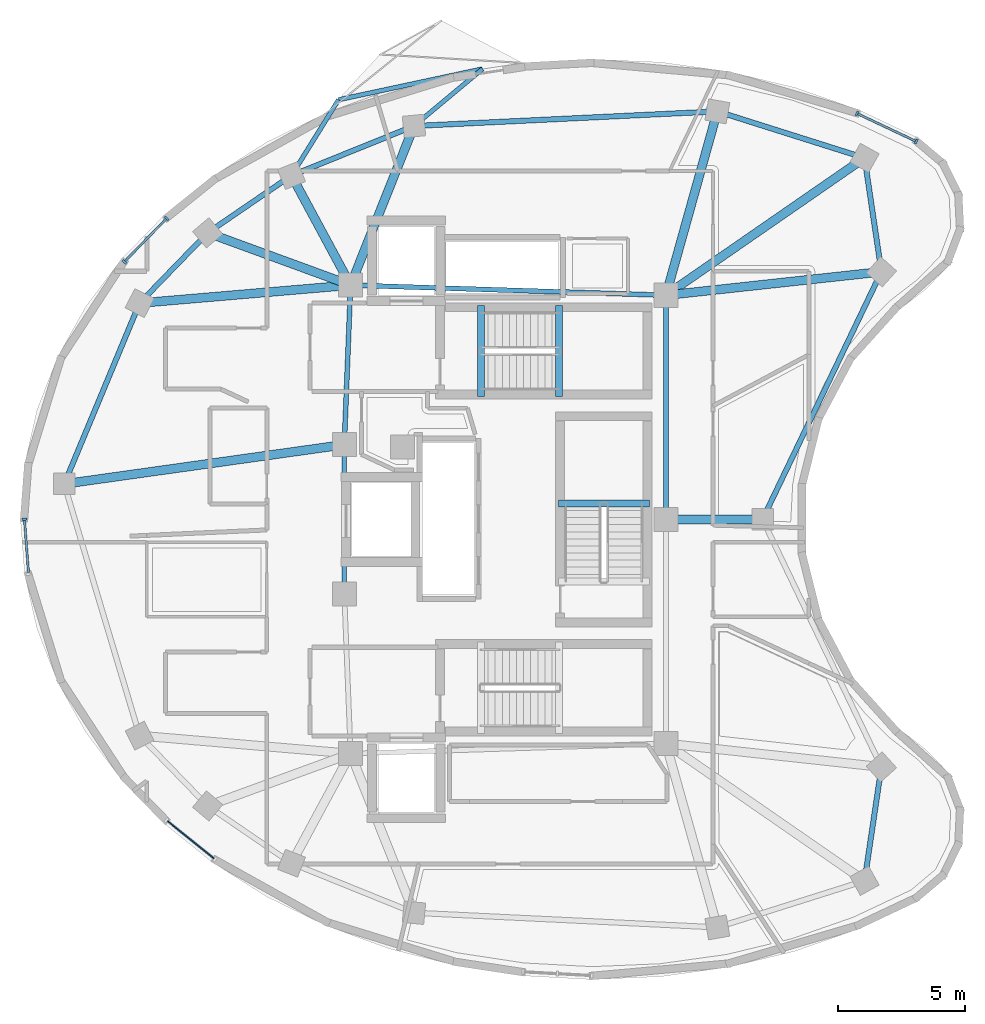
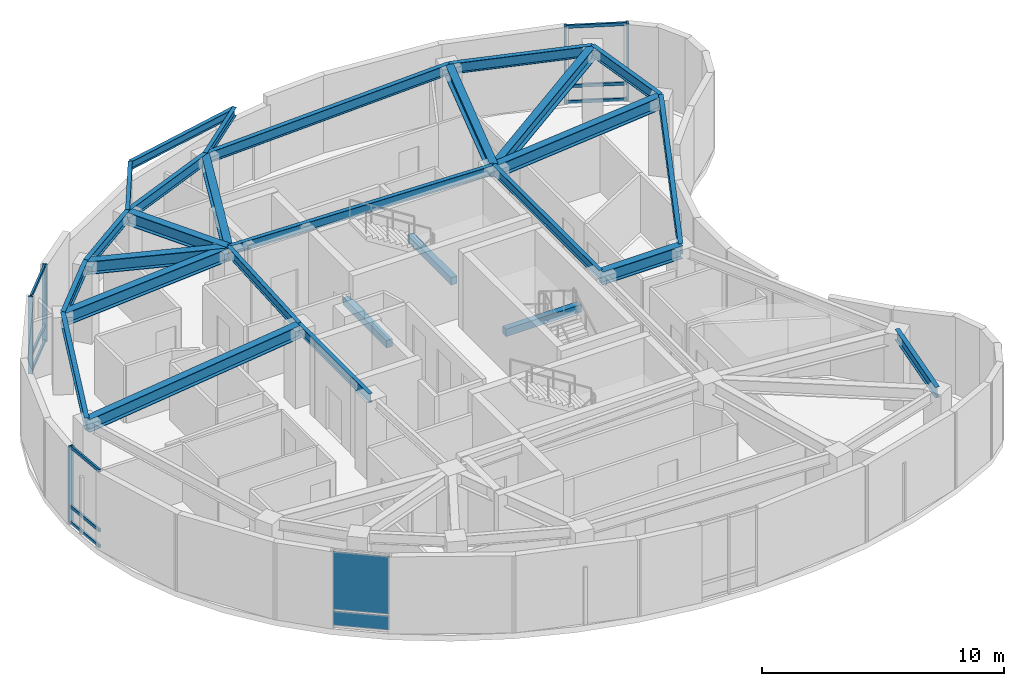
# One storey, part 2 of 8: 28 beams, 14 members, 2 plates, 4 elements without a shape of their own.
"""IFC4 building model written with IfcOpenShell, lengths in metres."""

from ifc_helpers import new_model, si_unit, direction, frame, origin, origin_2d, place, context, subcontext, project, spatial, rectangle, i_section, extrude, material, layer, layer_set, material_profile, profile_set, type_object, element, aggregate, save


model = new_model("IFC4")

# Units and contexts
model_context = context("Model", 3, precision=1e-05, world=origin(), true_north=direction((0.0, 1.0)))
body_context = subcontext(model_context, "Body", "Model", "MODEL_VIEW")
ifc_project = project(units=[si_unit("LENGTHUNIT", "METRE"), si_unit("AREAUNIT", "SQUARE_METRE"), si_unit("VOLUMEUNIT", "CUBIC_METRE"), si_unit("PLANEANGLEUNIT", "RADIAN"), si_unit("MASSUNIT", "GRAM", prefix="KILO")], contexts=[model_context])

# Site, building, storey
site_placement = place(None, origin())
site = spatial("IfcSite", under=ifc_project, at=site_placement, CompositionType="ELEMENT")
building_placement = place(site_placement, origin())
building = spatial("IfcBuilding", under=site, at=building_placement, Name="Korentha Bioscience Tower", CompositionType="ELEMENT")
storey_placement = place(building_placement, frame((0.0, 0.0, 310.199951171875)))
storey = spatial("IfcBuildingStorey", under=building, at=storey_placement, Name="L71", CompositionType="ELEMENT", Elevation=310.199951171875)

# Beams
ifc_material_1 = material(Name="Concrete C50", Category="concrete")
ifc_material_profile_1 = material_profile(ifc_material_1, rectangle(XDim=0.280029296875, YDim=0.3798828125, at=origin_2d()), Name="Concrete C50")
ifc_profile_set_1 = profile_set([ifc_material_profile_1], Name="Concrete C50 (ST-HB380)")
beam_type_1 = type_object("IfcBeamType", Name="Concrete Stair Header Beam RC 280x380", PredefinedType="BEAM", material=ifc_profile_set_1)
for number, where, z_axis, x_axis, name in (
    (1, (30.25, 31.85009765625, -0.18994140625), (0.0, 1.0, 0.0), (-1.0, 0.0, 0.0), "L71 ST-1 Concrete Stair Header Beam"),
    (2, (33.330078125, 31.85009765625, 1.91015625), (0.0, 1.0, 0.0), (-1.0, 0.0, 0.0), "L71 ST-1 Half-Landing Header Beam 1"),
    (3, (36.89990234375, 27.6298828125, 1.91015625), (-1.0, 0.0, 0.0), (0.0, -1.0, 0.0), "L71 ST-3 Half-Landing Header Beam 1"),
):
    element("IfcBeam", number, at=place(storey_placement, frame(where, z_axis=z_axis, x_axis=x_axis)), inside=storey, type_object=beam_type_1, Name=name, PredefinedType="BEAM", context=body_context, shape_type="SweptSolid", body=[
        extrude(rectangle(XDim=0.280029296875, YDim=0.3798828125, at=origin_2d()), origin(), (0.0, 0.0, 1.0), 3.599853515625),
    ])
ifc_material_2 = material(Name="Steel S355", Category="steel")
ifc_material_profile_2 = material_profile(ifc_material_2, i_section(OverallWidth=0.18994140625, OverallDepth=0.45703125, WebThickness=0.009033203125, FlangeThickness=0.014404296875, at=origin_2d()), Name="Steel S355")
ifc_profile_set_2 = profile_set([ifc_material_profile_2], Name="Steel S355 (MB-460)")
beam_type_2 = type_object("IfcBeamType", Name="Mid-Ring Tie Girder W460x74", PredefinedType="BEAM", material=ifc_profile_set_2)
beam_1_placement = place(storey_placement, frame((37.550048828125, 35.85009765625, 3.671630859375), z_axis=(-0.999484526071, 0.032104238723, 0.0), x_axis=(-0.032104238723, -0.999484526071, 0.0)))
element("IfcBeam", 4, at=beam_1_placement, inside=storey, type_object=beam_type_2, Name="L71 Core Ring Tie Girder 01", PredefinedType="BEAM", context=body_context, shape_type="SweptSolid", body=[
    extrude(i_section(OverallWidth=0.18994140625, OverallDepth=0.45703125, WebThickness=0.009033203125, FlangeThickness=0.014404296875, at=origin_2d()), origin(), (0.0, 0.0, 1.0), 12.456298828125),
])
beam_2_placement = place(storey_placement, frame((25.10009765625, 36.25, 3.671630859375), z_axis=(-0.039651025576, -0.999213588864, 0.0), x_axis=(0.999213588864, -0.039651025576, 0.0)))
element("IfcBeam", 5, at=beam_2_placement, inside=storey, type_object=beam_type_2, Name="L71 Core Ring Tie Girder 02", PredefinedType="BEAM", context=body_context, shape_type="SweptSolid", body=[
    extrude(i_section(OverallWidth=0.18994140625, OverallDepth=0.45703125, WebThickness=0.009033203125, FlangeThickness=0.014404296875, at=origin_2d()), origin(), (0.0, 0.0, 1.0), 6.304931640625),
])
beam_3_placement = place(storey_placement, frame((24.85009765625, 29.949951171875, 3.671630859375), z_axis=(0.0, -1.0, 0.0), x_axis=(1.0, 0.0, 0.0)))
element("IfcBeam", 6, at=beam_3_placement, inside=storey, type_object=beam_type_2, Name="L71 Core Ring Tie Girder 03", PredefinedType="BEAM", context=body_context, shape_type="SweptSolid", body=[
    extrude(i_section(OverallWidth=0.18994140625, OverallDepth=0.45703125, WebThickness=0.009033203125, FlangeThickness=0.014404296875, at=origin_2d()), origin(), (0.0, 0.0, 1.0), 5.89990234375),
])
beam_4_placement = place(storey_placement, frame((37.550048828125, 27.0, 3.671630859375), z_axis=(0.0, 1.0, 0.0), x_axis=(-1.0, 0.0, 0.0)))
element("IfcBeam", 7, at=beam_4_placement, inside=storey, type_object=beam_type_2, Name="L71 Core Ring Tie Girder 07", PredefinedType="BEAM", context=body_context, shape_type="SweptSolid", body=[
    extrude(i_section(OverallWidth=0.18994140625, OverallDepth=0.45703125, WebThickness=0.009033203125, FlangeThickness=0.014404296875, at=origin_2d()), origin(), (0.0, 0.0, 1.0), 8.85009765625),
])

# Curtain wall, members
ifc_material_3 = material(Name="Thermally Broken Aluminium Frame", Category="aluminium")
ifc_layer_1 = layer(ifc_material_3, 0.219970703125, Name="Thermally Broken Aluminium Frame")
ifc_layer_set_1 = layer_set([ifc_layer_1], Name="Thermally Broken Aluminium Frame (CW-T1)")
curtain_wall_type = type_object("IfcCurtainWallType", Name="Standard Bioscience Lab Unitised Curtain Wall CW-T1", PredefinedType="USERDEFINED", material=ifc_layer_set_1)
curtain_wall_1_placement = place(storey_placement, origin())
curtain_wall_1 = element("IfcCurtainWall", 8, at=curtain_wall_1_placement, inside=storey, type_object=curtain_wall_type, Name="L71 Curtain Wall 01", ObjectType="UNITISED", PredefinedType="USERDEFINED")
ifc_material_4 = material(Name="Anodised Aluminium 6063-T6", Category="aluminium")
ifc_material_profile_3 = material_profile(ifc_material_4, rectangle(XDim=0.090087890625, YDim=0.199951171875, at=origin_2d()), Name="Anodised Aluminium 6063-T6")
ifc_profile_set_3 = profile_set([ifc_material_profile_3], Name="Anodised Aluminium 6063-T6 (CW-MUL)")
member_type_1 = type_object("IfcMemberType", Name="Mullion RECT 90x200", PredefinedType="MULLION", material=ifc_profile_set_3)
member_1_placement = place(storey_placement, frame((47.439697265625, 41.922607421875, 0.0), z_axis=(0.0, 0.0, 1.0), x_axis=(-0.904397382054, 0.426691194347, 0.0)))
member_1 = element("IfcMember", 9, at=member_1_placement, type_object=member_type_1, Name="CW-L71-01 Mullion 1", PredefinedType="MULLION", context=body_context, shape_type="SweptSolid", body=[
    extrude(rectangle(XDim=0.090087890625, YDim=0.199951171875, at=origin_2d()), origin(), (0.0, 0.0, 1.0), 3.900146484375),
])
member_2_placement = place(storey_placement, frame((45.095703125, 43.028564453125, 0.0), z_axis=(0.0, 0.0, 1.0), x_axis=(-0.904397382054, 0.426691194347, 0.0)))
member_2 = element("IfcMember", 10, at=member_2_placement, type_object=member_type_1, Name="CW-L71-01 Mullion 2", PredefinedType="MULLION", context=body_context, shape_type="SweptSolid", body=[
    extrude(rectangle(XDim=0.090087890625, YDim=0.199951171875, at=origin_2d()), origin(), (0.0, 0.0, 1.0), 3.900146484375),
])

curtain_wall_2_placement = place(storey_placement, origin())
curtain_wall_2 = element("IfcCurtainWall", 11, at=curtain_wall_2_placement, inside=storey, type_object=curtain_wall_type, Name="L71 Curtain Wall 13", ObjectType="UNITISED", PredefinedType="USERDEFINED")
member_3_placement = place(storey_placement, frame((17.836181640625, 38.886474609375, 0.0), z_axis=(0.0, 0.0, 1.0), x_axis=(-0.697567217128, -0.716519349067, 0.0)))
member_3 = element("IfcMember", 12, at=member_3_placement, type_object=member_type_1, Name="CW-L71-13 Mullion 1", PredefinedType="MULLION", context=body_context, shape_type="SweptSolid", body=[
    extrude(rectangle(XDim=0.090087890625, YDim=0.199951171875, at=origin_2d()), origin(), (0.0, 0.0, 1.0), 3.900146484375),
])
member_4_placement = place(storey_placement, frame((16.16552734375, 37.170166015625, 0.0), z_axis=(0.0, 0.0, 1.0), x_axis=(-0.697567217128, -0.716519349067, 0.0)))
member_4 = element("IfcMember", 13, at=member_4_placement, type_object=member_type_1, Name="CW-L71-13 Mullion 2", PredefinedType="MULLION", context=body_context, shape_type="SweptSolid", body=[
    extrude(rectangle(XDim=0.090087890625, YDim=0.199951171875, at=origin_2d()), origin(), (0.0, 0.0, 1.0), 3.900146484375),
])

# Curtain wall, member
curtain_wall_3_placement = place(storey_placement, origin())
curtain_wall_3 = element("IfcCurtainWall", 14, at=curtain_wall_3_placement, inside=storey, type_object=curtain_wall_type, Name="L71 Curtain Wall 19", ObjectType="UNITISED", PredefinedType="USERDEFINED")
member_5_placement = place(storey_placement, frame((12.220947265625, 27.007080078125, 0.0), z_axis=(0.0, 0.0, 1.0), x_axis=(0.075073021346, -0.997178039001, 0.0)))
member_5 = element("IfcMember", 15, at=member_5_placement, type_object=member_type_1, Name="CW-L71-19 Mullion 1", PredefinedType="MULLION", context=body_context, shape_type="SweptSolid", body=[
    extrude(rectangle(XDim=0.090087890625, YDim=0.199951171875, at=origin_2d()), origin(), (0.0, 0.0, 1.0), 3.900146484375),
])

# Beams
ifc_material_profile_4 = material_profile(ifc_material_2, i_section(OverallWidth=0.208984375, OverallDepth=0.532958984375, WebThickness=0.01025390625, FlangeThickness=0.015625, at=origin_2d()), Name="Steel S355")
ifc_profile_set_4 = profile_set([ifc_material_profile_4], Name="Steel S355 (SB-530)")
beam_type_3 = type_object("IfcBeamType", Name="Perimeter Ring Spandrel Girder W530x92", PredefinedType="SPANDREL", material=ifc_profile_set_4)
beam_5_placement = place(storey_placement, frame((45.393310546875, 41.273681640625, 3.633544921875), z_axis=(-0.953502720539, 0.301384408895, 0.0), x_axis=(-0.301384408895, -0.953502720539, 0.0)))
element("IfcBeam", 16, at=beam_5_placement, inside=storey, type_object=beam_type_3, Name="L71 Perimeter Spandrel Girder 01", PredefinedType="SPANDREL", context=body_context, shape_type="SweptSolid", body=[
    extrude(i_section(OverallWidth=0.208984375, OverallDepth=0.532958984375, WebThickness=0.01025390625, FlangeThickness=0.015625, at=origin_2d()), origin(), (0.0, 0.0, 1.0), 6.094970703125),
])
beam_6_placement = place(storey_placement, frame((39.581787109375, 43.110595703125, 3.633544921875), z_axis=(-0.998842480099, -0.04810093502, 0.0), x_axis=(0.04810093502, -0.998842480099, 0.0)))
element("IfcBeam", 17, at=beam_6_placement, inside=storey, type_object=beam_type_3, Name="L71 Perimeter Spandrel Girder 02", PredefinedType="SPANDREL", context=body_context, shape_type="SweptSolid", body=[
    extrude(i_section(OverallWidth=0.208984375, OverallDepth=0.532958984375, WebThickness=0.01025390625, FlangeThickness=0.015625, at=origin_2d()), origin(), (0.0, 0.0, 1.0), 11.99365234375),
])
beam_7_placement = place(storey_placement, frame((27.60205078125, 42.53369140625, 3.633544921875), z_axis=(-0.92709518526, -0.374825982913, 0.0), x_axis=(0.374825982913, -0.92709518526, 0.0)))
element("IfcBeam", 18, at=beam_7_placement, inside=storey, type_object=beam_type_3, Name="L71 Perimeter Spandrel Girder 03", PredefinedType="SPANDREL", context=body_context, shape_type="SweptSolid", body=[
    extrude(i_section(OverallWidth=0.208984375, OverallDepth=0.532958984375, WebThickness=0.01025390625, FlangeThickness=0.015625, at=origin_2d()), origin(), (0.0, 0.0, 1.0), 5.216064453125),
])
beam_8_placement = place(storey_placement, frame((22.766357421875, 40.57861328125, 3.633544921875), z_axis=(-0.825502824703, -0.564397985828, 0.0), x_axis=(0.564397985828, -0.825502824703, 0.0)))
element("IfcBeam", 19, at=beam_8_placement, inside=storey, type_object=beam_type_3, Name="L71 Perimeter Spandrel Girder 04", PredefinedType="SPANDREL", context=body_context, shape_type="SweptSolid", body=[
    extrude(i_section(OverallWidth=0.208984375, OverallDepth=0.532958984375, WebThickness=0.01025390625, FlangeThickness=0.015625, at=origin_2d()), origin(), (0.0, 0.0, 1.0), 4.01025390625),
])
beam_9_placement = place(storey_placement, frame((19.455810546875, 38.315185546875, 3.633544921875), z_axis=(-0.695771790517, -0.718262915317, 0.0), x_axis=(0.718262915317, -0.695771790517, 0.0)))
element("IfcBeam", 20, at=beam_9_placement, inside=storey, type_object=beam_type_3, Name="L71 Perimeter Spandrel Girder 05", PredefinedType="SPANDREL", context=body_context, shape_type="SweptSolid", body=[
    extrude(i_section(OverallWidth=0.208984375, OverallDepth=0.532958984375, WebThickness=0.01025390625, FlangeThickness=0.015625, at=origin_2d()), origin(), (0.0, 0.0, 1.0), 3.8642578125),
])
beam_10_placement = place(storey_placement, frame((16.76708984375, 35.53955078125, 3.633544921875), z_axis=(-0.384693811758, -0.923044241191, 0.0), x_axis=(0.923044241191, -0.384693811758, 0.0)))
element("IfcBeam", 21, at=beam_10_placement, inside=storey, type_object=beam_type_3, Name="L71 Perimeter Spandrel Girder 06", PredefinedType="SPANDREL", context=body_context, shape_type="SweptSolid", body=[
    extrude(i_section(OverallWidth=0.208984375, OverallDepth=0.532958984375, WebThickness=0.01025390625, FlangeThickness=0.015625, at=origin_2d()), origin(), (0.0, 0.0, 1.0), 7.736328125),
])
beam_11_placement = place(storey_placement, frame((45.393310546875, 12.726318359375, 3.633544921875), z_axis=(0.146840630252, 0.989160163627, 0.0), x_axis=(-0.989160163627, 0.146840630252, 0.0)))
element("IfcBeam", 22, at=beam_11_placement, inside=storey, type_object=beam_type_3, Name="L71 Perimeter Spandrel Girder 13", PredefinedType="SPANDREL", context=body_context, shape_type="SweptSolid", body=[
    extrude(i_section(OverallWidth=0.208984375, OverallDepth=0.532958984375, WebThickness=0.01025390625, FlangeThickness=0.015625, at=origin_2d()), origin(), (0.0, 0.0, 1.0), 4.545654296875),
])
beam_12_placement = place(storey_placement, frame((41.36572265625, 27.0, 3.633544921875), z_axis=(0.432876684637, 0.901453146812, 0.0), x_axis=(-0.901453146812, 0.432876684637, 0.0)))
element("IfcBeam", 23, at=beam_12_placement, inside=storey, type_object=beam_type_3, Name="L71 Perimeter Spandrel Girder 15", PredefinedType="SPANDREL", context=body_context, shape_type="SweptSolid", body=[
    extrude(i_section(OverallWidth=0.208984375, OverallDepth=0.532958984375, WebThickness=0.01025390625, FlangeThickness=0.015625, at=origin_2d()), origin(), (0.0, 0.0, 1.0), 10.84619140625),
])
beam_13_placement = place(storey_placement, frame((46.060791015625, 36.77734375, 3.633544921875), z_axis=(-0.146840630252, 0.989160163627, 0.0), x_axis=(-0.989160163627, -0.146840630252, 0.0)))
element("IfcBeam", 24, at=beam_13_placement, inside=storey, type_object=beam_type_3, Name="L71 Perimeter Spandrel Girder 16", PredefinedType="SPANDREL", context=body_context, shape_type="SweptSolid", body=[
    extrude(i_section(OverallWidth=0.208984375, OverallDepth=0.532958984375, WebThickness=0.01025390625, FlangeThickness=0.015625, at=origin_2d()), origin(), (0.0, 0.0, 1.0), 4.545654296875),
])
ifc_material_profile_5 = material_profile(ifc_material_2, i_section(OverallWidth=0.35009765625, OverallDepth=0.64990234375, WebThickness=0.01611328125, FlangeThickness=0.02490234375, at=origin_2d()), Name="Steel S355")
ifc_profile_set_5 = profile_set([ifc_material_profile_5], Name="Steel S355 (RB-650)")
beam_type_4 = type_object("IfcBeamType", Name="Radial Laboratory Girder CVS 650x208", PredefinedType="BEAM", material=ifc_profile_set_5)
beam_14_placement = place(storey_placement, frame((37.550048828125, 35.85009765625, 3.574951171875), z_axis=(0.822504520154, 0.56875857297, 0.0), x_axis=(-0.56875857297, 0.822504520154, 0.0)))
element("IfcBeam", 25, at=beam_14_placement, inside=storey, type_object=beam_type_4, Name="L71 Radial Girder 01", PredefinedType="BEAM", context=body_context, shape_type="SweptSolid", body=[
    extrude(i_section(OverallWidth=0.35009765625, OverallDepth=0.64990234375, WebThickness=0.01611328125, FlangeThickness=0.02490234375, at=origin_2d()), origin(), (0.0, 0.0, 1.0), 9.535888671875),
])
beam_15_placement = place(storey_placement, frame((37.550048828125, 35.85009765625, 3.574951171875), z_axis=(0.269482185926, 0.963005374579, 0.0), x_axis=(-0.963005374579, 0.269482185926, 0.0)))
element("IfcBeam", 26, at=beam_15_placement, inside=storey, type_object=beam_type_4, Name="L71 Radial Girder 02", PredefinedType="BEAM", context=body_context, shape_type="SweptSolid", body=[
    extrude(i_section(OverallWidth=0.35009765625, OverallDepth=0.64990234375, WebThickness=0.01611328125, FlangeThickness=0.02490234375, at=origin_2d()), origin(), (0.0, 0.0, 1.0), 7.539306640625),
])
beam_16_placement = place(storey_placement, frame((25.10009765625, 36.25, 3.574951171875), z_axis=(0.369921439624, 0.929063037962, 0.0), x_axis=(-0.929063037962, 0.369921439624, 0.0)))
element("IfcBeam", 27, at=beam_16_placement, inside=storey, type_object=beam_type_4, Name="L71 Radial Girder 03", PredefinedType="BEAM", context=body_context, shape_type="SweptSolid", body=[
    extrude(i_section(OverallWidth=0.35009765625, OverallDepth=0.64990234375, WebThickness=0.01611328125, FlangeThickness=0.02490234375, at=origin_2d()), origin(), (0.0, 0.0, 1.0), 6.763427734375),
])
beam_17_placement = place(storey_placement, frame((25.10009765625, 36.25, 3.574951171875), z_axis=(-0.474564560434, 0.88022069845, 0.0), x_axis=(-0.88022069845, -0.474564560434, 0.0)))
element("IfcBeam", 28, at=beam_17_placement, inside=storey, type_object=beam_type_4, Name="L71 Radial Girder 04", PredefinedType="BEAM", context=body_context, shape_type="SweptSolid", body=[
    extrude(i_section(OverallWidth=0.35009765625, OverallDepth=0.64990234375, WebThickness=0.01611328125, FlangeThickness=0.02490234375, at=origin_2d()), origin(), (0.0, 0.0, 1.0), 4.917724609375),
])
beam_18_placement = place(storey_placement, frame((25.10009765625, 36.25, 3.574951171875), z_axis=(-0.9391119825, 0.343611240104, 0.0), x_axis=(-0.343611240104, -0.9391119825, 0.0)))
element("IfcBeam", 29, at=beam_18_placement, inside=storey, type_object=beam_type_4, Name="L71 Radial Girder 05", PredefinedType="BEAM", context=body_context, shape_type="SweptSolid", body=[
    extrude(i_section(OverallWidth=0.35009765625, OverallDepth=0.64990234375, WebThickness=0.01611328125, FlangeThickness=0.02490234375, at=origin_2d()), origin(), (0.0, 0.0, 1.0), 6.01025390625),
])
beam_19_placement = place(storey_placement, frame((25.10009765625, 36.25, 3.574951171875), z_axis=(-0.996385295821, -0.084949056921, 0.0), x_axis=(0.084949056921, -0.996385295821, 0.0)))
element("IfcBeam", 30, at=beam_19_placement, inside=storey, type_object=beam_type_4, Name="L71 Radial Girder 06", PredefinedType="BEAM", context=body_context, shape_type="SweptSolid", body=[
    extrude(i_section(OverallWidth=0.35009765625, OverallDepth=0.64990234375, WebThickness=0.01611328125, FlangeThickness=0.02490234375, at=origin_2d()), origin(), (0.0, 0.0, 1.0), 8.36328125),
])
beam_20_placement = place(storey_placement, frame((24.85009765625, 29.949951171875, 3.574951171875), z_axis=(-0.99030484903, -0.138911144217, 0.0), x_axis=(0.138911144217, -0.99030484903, 0.0)))
element("IfcBeam", 31, at=beam_20_placement, inside=storey, type_object=beam_type_4, Name="L71 Radial Girder 07", PredefinedType="BEAM", context=body_context, shape_type="SweptSolid", body=[
    extrude(i_section(OverallWidth=0.35009765625, OverallDepth=0.64990234375, WebThickness=0.01611328125, FlangeThickness=0.02490234375, at=origin_2d()), origin(), (0.0, 0.0, 1.0), 11.167236328125),
])
beam_21_placement = place(storey_placement, frame((37.550048828125, 27.0, 3.574951171875), z_axis=(1.0, 0.0, 0.0), x_axis=(0.0, 1.0, 0.0)))
element("IfcBeam", 32, at=beam_21_placement, inside=storey, type_object=beam_type_4, Name="L71 Radial Girder 15", PredefinedType="BEAM", context=body_context, shape_type="SweptSolid", body=[
    extrude(i_section(OverallWidth=0.35009765625, OverallDepth=0.64990234375, WebThickness=0.01611328125, FlangeThickness=0.02490234375, at=origin_2d()), origin(), (0.0, 0.0, 1.0), 3.815673828125),
])
beam_22_placement = place(storey_placement, frame((37.550048828125, 35.85009765625, 3.574951171875), z_axis=(0.994117259507, 0.108309160975, 0.0), x_axis=(-0.108309160975, 0.994117259507, 0.0)))
element("IfcBeam", 33, at=beam_22_placement, inside=storey, type_object=beam_type_4, Name="L71 Radial Girder 16", PredefinedType="BEAM", context=body_context, shape_type="SweptSolid", body=[
    extrude(i_section(OverallWidth=0.35009765625, OverallDepth=0.64990234375, WebThickness=0.01611328125, FlangeThickness=0.02490234375, at=origin_2d()), origin(), (0.0, 0.0, 1.0), 8.56103515625),
])
ifc_material_profile_6 = material_profile(ifc_material_2, i_section(OverallWidth=0.177978515625, OverallDepth=0.406982421875, WebThickness=0.0078125, FlangeThickness=0.0126953125, at=origin_2d()), Name="Steel S355")
ifc_profile_set_6 = profile_set([ifc_material_profile_6], Name="Steel S355 (CB-410)")
beam_type_5 = type_object("IfcBeamType", Name="Sun-Ledge Cantilever Beam W410x60", PredefinedType="BEAM", material=ifc_profile_set_6)
for number, where, z_axis, x_axis, name in (
    (34, (27.60205078125, 42.53369140625, 3.698486328125), (0.768221279597, 0.640184399664, 0.0), (-0.640184399664, 0.768221279597, 0.0), "L71 Balcony Cantilever Bracket A-L72-01"),
    (35, (22.766357421875, 40.57861328125, 3.698486328125), (0.527259267418, 0.849704457398, 0.0), (-0.849704457398, 0.527259267418, 0.0), "L71 Balcony Cantilever Bracket B-L72-01"),
):
    element("IfcBeam", number, at=place(storey_placement, frame(where, z_axis=z_axis, x_axis=x_axis)), inside=storey, type_object=beam_type_5, Name=name, PredefinedType="BEAM", context=body_context, shape_type="SweptSolid", body=[
        extrude(i_section(OverallWidth=0.177978515625, OverallDepth=0.406982421875, WebThickness=0.0078125, FlangeThickness=0.0126953125, at=origin_2d()), origin(), (0.0, 0.0, 1.0), 3.52001953125),
    ])
beam_23_placement = place(storey_placement, frame((30.30615234375, 44.787109375, 3.698486328125), z_axis=(-0.97781777755, -0.209457379693, 0.0), x_axis=(0.209457379693, -0.97781777755, 0.0)))
element("IfcBeam", 36, at=beam_23_placement, inside=storey, type_object=beam_type_5, Name="L71 Balcony Edge Trimmer Beam L72-01", PredefinedType="BEAM", context=body_context, shape_type="SweptSolid", body=[
    extrude(i_section(OverallWidth=0.177978515625, OverallDepth=0.406982421875, WebThickness=0.0078125, FlangeThickness=0.0126953125, at=origin_2d()), origin(), (0.0, 0.0, 1.0), 5.812744140625),
])

# Member
ifc_material_profile_7 = material_profile(ifc_material_4, rectangle(XDim=0.090087890625, YDim=0.159912109375, at=origin_2d()), Name="Anodised Aluminium 6063-T6")
ifc_profile_set_7 = profile_set([ifc_material_profile_7], Name="Anodised Aluminium 6063-T6 (CW-TRN)")
member_type_2 = type_object("IfcMemberType", Name="Transom RECT 90x160", PredefinedType="USERDEFINED", material=ifc_profile_set_7)
member_6_placement = place(storey_placement, frame((47.39892578125, 41.94189453125, 0.045166015625), z_axis=(-0.904402460023, 0.426680431124, 0.0), x_axis=(-0.426680431124, -0.904402460023, 0.0)))
member_6 = element("IfcMember", 37, at=member_6_placement, type_object=member_type_2, Name="CW-L71-01 Bay 1 Transom 1", ObjectType="TRANSOM", PredefinedType="USERDEFINED", context=body_context, shape_type="SweptSolid", body=[
    extrude(rectangle(XDim=0.090087890625, YDim=0.159912109375, at=origin_2d()), origin(), (0.0, 0.0, 1.0), 2.501708984375),
])

member_7_placement = place(storey_placement, frame((47.39892578125, 41.94189453125, 0.85009765625), z_axis=(-0.904402460023, 0.426680431124, 0.0), x_axis=(-0.426680431124, -0.904402460023, 0.0)))
member_7 = element("IfcMember", 38, at=member_7_placement, type_object=member_type_2, Name="CW-L71-01 Bay 1 Transom 2", ObjectType="TRANSOM", PredefinedType="USERDEFINED", context=body_context, shape_type="SweptSolid", body=[
    extrude(rectangle(XDim=0.090087890625, YDim=0.159912109375, at=origin_2d()), origin(), (0.0, 0.0, 1.0), 2.501708984375),
])

member_8_placement = place(storey_placement, frame((47.39892578125, 41.94189453125, 3.85498046875), z_axis=(-0.904402460023, 0.426680431124, 0.0), x_axis=(-0.426680431124, -0.904402460023, 0.0)))
member_8 = element("IfcMember", 39, at=member_8_placement, type_object=member_type_2, Name="CW-L71-01 Bay 1 Transom 3", ObjectType="TRANSOM", PredefinedType="USERDEFINED", context=body_context, shape_type="SweptSolid", body=[
    extrude(rectangle(XDim=0.090087890625, YDim=0.159912109375, at=origin_2d()), origin(), (0.0, 0.0, 1.0), 2.501708984375),
])

aggregate(curtain_wall_1, [member_1, member_2, member_6, member_7, member_8])

member_9_placement = place(storey_placement, frame((17.804931640625, 38.85400390625, 0.045166015625), z_axis=(-0.697563742003, -0.716522732258, 0.0), x_axis=(0.716522732258, -0.697563742003, 0.0)))
member_9 = element("IfcMember", 40, at=member_9_placement, type_object=member_type_2, Name="CW-L71-13 Bay 1 Transom 1", ObjectType="TRANSOM", PredefinedType="USERDEFINED", context=body_context, shape_type="SweptSolid", body=[
    extrude(rectangle(XDim=0.090087890625, YDim=0.159912109375, at=origin_2d()), origin(), (0.0, 0.0, 1.0), 2.304931640625),
])

member_10_placement = place(storey_placement, frame((17.804931640625, 38.85400390625, 0.85009765625), z_axis=(-0.697563742003, -0.716522732258, 0.0), x_axis=(0.716522732258, -0.697563742003, 0.0)))
member_10 = element("IfcMember", 41, at=member_10_placement, type_object=member_type_2, Name="CW-L71-13 Bay 1 Transom 2", ObjectType="TRANSOM", PredefinedType="USERDEFINED", context=body_context, shape_type="SweptSolid", body=[
    extrude(rectangle(XDim=0.090087890625, YDim=0.159912109375, at=origin_2d()), origin(), (0.0, 0.0, 1.0), 2.304931640625),
])

member_11_placement = place(storey_placement, frame((17.804931640625, 38.85400390625, 3.85498046875), z_axis=(-0.697563742003, -0.716522732258, 0.0), x_axis=(0.716522732258, -0.697563742003, 0.0)))
member_11 = element("IfcMember", 42, at=member_11_placement, type_object=member_type_2, Name="CW-L71-13 Bay 1 Transom 3", ObjectType="TRANSOM", PredefinedType="USERDEFINED", context=body_context, shape_type="SweptSolid", body=[
    extrude(rectangle(XDim=0.090087890625, YDim=0.159912109375, at=origin_2d()), origin(), (0.0, 0.0, 1.0), 2.304931640625),
])

aggregate(curtain_wall_2, [member_3, member_4, member_9, member_10, member_11])

member_12_placement = place(storey_placement, frame((12.224365234375, 26.962158203125, 0.045166015625), z_axis=(0.075022717108, -0.997181824903, 0.0), x_axis=(0.997181824903, 0.075022717108, 0.0)))
member_12 = element("IfcMember", 43, at=member_12_placement, type_object=member_type_2, Name="CW-L71-19 Bay 1 Transom 1", ObjectType="TRANSOM", PredefinedType="USERDEFINED", context=body_context, shape_type="SweptSolid", body=[
    extrude(rectangle(XDim=0.090087890625, YDim=0.159912109375, at=origin_2d()), origin(), (0.0, 0.0, 1.0), 2.0859375),
])

member_13_placement = place(storey_placement, frame((12.224365234375, 26.962158203125, 0.85009765625), z_axis=(0.075022717108, -0.997181824903, 0.0), x_axis=(0.997181824903, 0.075022717108, 0.0)))
member_13 = element("IfcMember", 44, at=member_13_placement, type_object=member_type_2, Name="CW-L71-19 Bay 1 Transom 2", ObjectType="TRANSOM", PredefinedType="USERDEFINED", context=body_context, shape_type="SweptSolid", body=[
    extrude(rectangle(XDim=0.090087890625, YDim=0.159912109375, at=origin_2d()), origin(), (0.0, 0.0, 1.0), 2.0859375),
])

member_14_placement = place(storey_placement, frame((12.224365234375, 26.962158203125, 3.85498046875), z_axis=(0.075022717108, -0.997181824903, 0.0), x_axis=(0.997181824903, 0.075022717108, 0.0)))
member_14 = element("IfcMember", 45, at=member_14_placement, type_object=member_type_2, Name="CW-L71-19 Bay 1 Transom 3", ObjectType="TRANSOM", PredefinedType="USERDEFINED", context=body_context, shape_type="SweptSolid", body=[
    extrude(rectangle(XDim=0.090087890625, YDim=0.159912109375, at=origin_2d()), origin(), (0.0, 0.0, 1.0), 2.0859375),
])

aggregate(curtain_wall_3, [member_5, member_12, member_13, member_14])

# Curtain wall, plates
curtain_wall_4_placement = place(storey_placement, origin())
curtain_wall_4 = element("IfcCurtainWall", 46, at=curtain_wall_4_placement, inside=storey, type_object=curtain_wall_type, Name="L71 Curtain Wall 25", ObjectType="UNITISED", PredefinedType="USERDEFINED")
ifc_material_5 = material(Name="Triple-Glazed Low-E Insulated Glass", Category="glass")
ifc_layer_2 = layer(ifc_material_5, 0.0439453125, Name="Triple-Glazed Low-E Insulated Glass")
ifc_layer_set_2 = layer_set([ifc_layer_2], Name="Triple-Glazed Low-E Insulated Glass (GL-44)")
plate_type = type_object("IfcPlateType", Name="Glazed Panel 44mm", PredefinedType="CURTAIN_PANEL", material=ifc_layer_set_2)
plate_1_placement = place(storey_placement, frame((18.787841796875, 14.34814453125, 0.08984375), z_axis=(0.0, 0.0, 1.0), x_axis=(0.778807101094, -0.62726350068, 0.0)))
plate_1 = element("IfcPlate", 47, at=plate_1_placement, type_object=plate_type, Name="CW-L71-25 Bay 1 Glazed Panel 1", PredefinedType="CURTAIN_PANEL", context=body_context, shape_type="SweptSolid", body=[
    extrude(rectangle(XDim=2.37109375, YDim=0.0439453125, at=origin_2d()), origin(), (0.0, 0.0, 1.0), 0.715087890625),
])
plate_2_placement = place(storey_placement, frame((18.787841796875, 14.34814453125, 0.89501953125), z_axis=(0.0, 0.0, 1.0), x_axis=(0.778807101094, -0.62726350068, 0.0)))
plate_2 = element("IfcPlate", 48, at=plate_2_placement, type_object=plate_type, Name="CW-L71-25 Bay 1 Glazed Panel 2", PredefinedType="CURTAIN_PANEL", context=body_context, shape_type="SweptSolid", body=[
    extrude(rectangle(XDim=2.37109375, YDim=0.0439453125, at=origin_2d()), origin(), (0.0, 0.0, 1.0), 2.9150390625),
])
aggregate(curtain_wall_4, [plate_1, plate_2])

save(model, "model.ifc")
